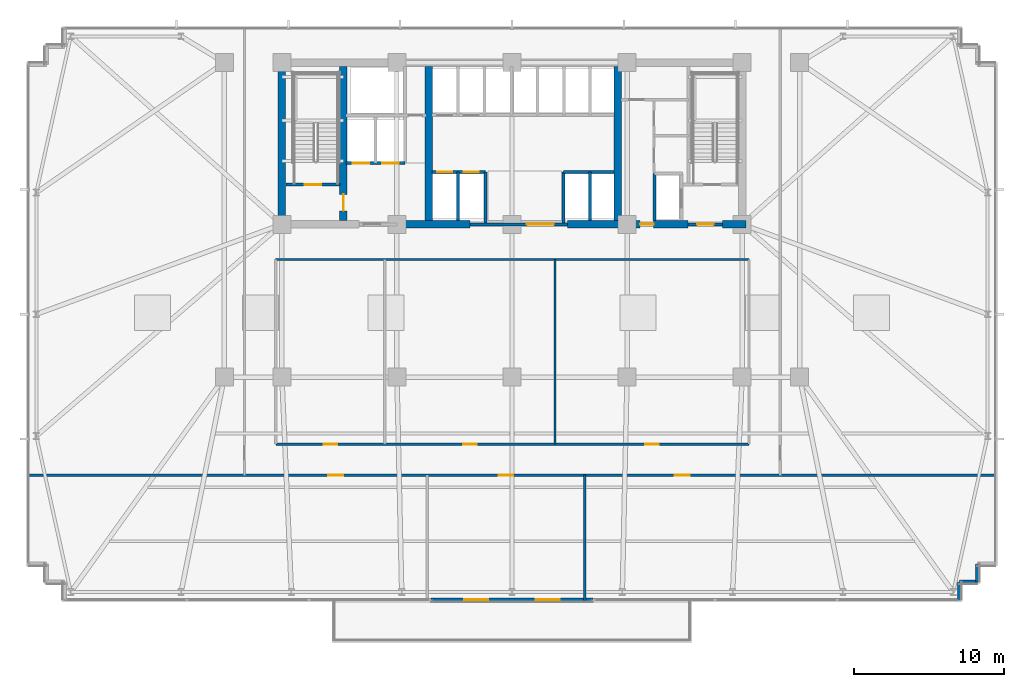
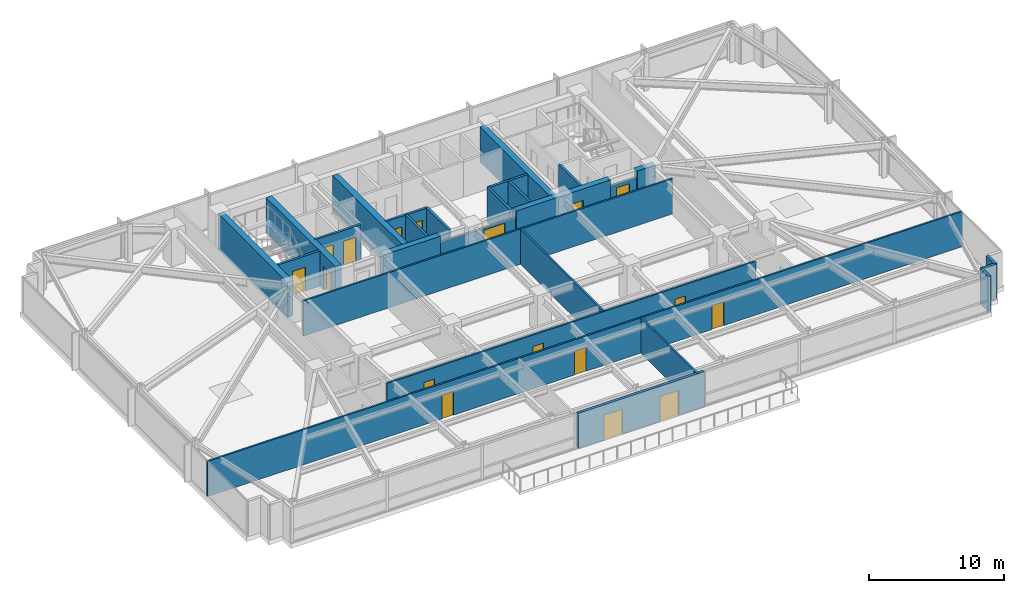
# One storey, part 24 of 31: 27 walls, 17 doors, 17 openings.
"""IFC4 building model written with IfcOpenShell, lengths in metres."""

from ifc_helpers import new_model, si_unit, direction, frame, frame_2d, origin, place, context, subcontext, project, spatial, rectangle, extrude, material, layer, layer_set, type_object, element, fill, save


model = new_model("IFC4")

# Units and contexts
model_context = context("Model", 3, precision=1e-05, world=origin(), true_north=direction((0.0, 1.0)))
body_context = subcontext(model_context, "Body", "Model", "MODEL_VIEW")
ifc_project = project(units=[si_unit("LENGTHUNIT", "METRE"), si_unit("AREAUNIT", "SQUARE_METRE"), si_unit("VOLUMEUNIT", "CUBIC_METRE"), si_unit("PLANEANGLEUNIT", "RADIAN"), si_unit("MASSUNIT", "GRAM", prefix="KILO")], contexts=[model_context])

# Site, building, storey
site_placement = place(None, origin())
site = spatial("IfcSite", under=ifc_project, at=site_placement, CompositionType="ELEMENT")
building_placement = place(site_placement, origin())
building = spatial("IfcBuilding", under=site, at=building_placement, Name="Yelkora Congress Tower", CompositionType="ELEMENT")
storey_placement = place(building_placement, frame((0.0, 0.0, 30.39990234375)))
storey = spatial("IfcBuildingStorey", under=building, at=storey_placement, Name="L06", CompositionType="ELEMENT", Elevation=30.39990234375)

# Wall
ifc_material_1 = material(Name="Concrete C60/75", Category="concrete")
ifc_layer_1 = layer(ifc_material_1, 0.5)
ifc_layer_set_1 = layer_set([ifc_layer_1], Name="Concrete C60/75")
wall_type_1 = type_object("IfcWallType", Name="WALL-CORE-INT-500", PredefinedType="SHEAR", material=ifc_layer_set_1)
wall_1_placement = place(storey_placement, frame((30.719970703125, 35.39990234375, 0.0), z_axis=(0.0, 0.0, 1.0), x_axis=(1.0, 0.0, 0.0)))
element("IfcWall", 1, at=wall_1_placement, inside=storey, type_object=wall_type_1, Name="L06 Rear Core South-Center Shear Pier", PredefinedType="SHEAR", context=body_context, shape_type="SweptSolid", body=[
    extrude(rectangle(XDim=4.880126953125, YDim=0.5, at=frame_2d((2.43994140625, 0.0))), origin(), (0.0, 0.0, 1.0), 3.18017578125),
])

# Wall, opening, door
wall_2_placement = place(storey_placement, frame((42.10009765625, 35.39990234375, 0.0), z_axis=(0.0, 0.0, 1.0), x_axis=(1.0, 0.0, 0.0)))
wall_2 = element("IfcWall", 2, at=wall_2_placement, inside=storey, type_object=wall_type_1, Name="L06 Rear Core South-East Shear Wall A", PredefinedType="SHEAR", context=body_context, shape_type="SweptSolid", body=[
    extrude(rectangle(XDim=8.0498046875, YDim=0.5, at=frame_2d((4.02490234375, 0.0))), origin(), (0.0, 0.0, 1.0), 3.18017578125),
])
opening_1_placement = place(wall_2_placement, frame((4.85009765625, 0.0, 0.0)))
opening_1 = element("IfcOpeningElement", 3, at=opening_1_placement, cuts=wall_2, Name="Opening DR-090F6", PredefinedType="OPENING", context=body_context, shape_type="SweptSolid", body=[
    extrude(rectangle(XDim=0.89990234375, YDim=2.14990234375, at=frame_2d((0.449951171875, 1.074951171875))), frame((0.0, 0.260009765625, 0.0), z_axis=(0.0, -1.0, 0.0), x_axis=(1.0, 0.0, 0.0)), (0.0, 0.0, 1.0), 0.52001953125),
])
ifc_material_2 = material(Name="Painted steel riser fire door leaf", Category="steel")
door_type_1 = type_object("IfcDoorType", Name="DOOR-FD60-900", OperationType="NOTDEFINED", PredefinedType="DOOR", material=ifc_material_2)
door_1_placement = place(opening_1_placement, origin())
door_1 = element("IfcDoor", 4, at=door_1_placement, inside=storey, type_object=door_type_1, Name="L06 Core Washroom Lobby Door", OperationType="SINGLE_SWING_RIGHT", OverallHeight=2.14990234375, OverallWidth=0.89990234375, PredefinedType="DOOR", context=body_context, shape_type="SweptSolid", body=[
    extrude(rectangle(XDim=0.89990234375, YDim=2.14990234375, at=frame_2d((0.449951171875, 1.074951171875))), frame((0.0, 0.02490234375, 0.0), z_axis=(0.0, -1.0, 0.0), x_axis=(1.0, 0.0, 0.0)), (0.0, 0.0, 1.0), 0.050048828125),
])
fill(opening_1, door_1)

# Walls
wall_3_placement = place(storey_placement, frame((52.449951171875, 35.39990234375, 0.0), z_axis=(0.0, 0.0, 1.0), x_axis=(1.0, 0.0, 0.0)))
element("IfcWall", 5, at=wall_3_placement, inside=storey, type_object=wall_type_1, Name="L06 Rear Core South-East Shear Wall B", PredefinedType="SHEAR", context=body_context, shape_type="SweptSolid", body=[
    extrude(rectangle(XDim=1.56005859375, YDim=0.5, at=frame_2d((0.780029296875, 0.0))), origin(), (0.0, 0.0, 1.0), 3.18017578125),
])
wall_4_placement = place(storey_placement, frame((23.0400390625, 35.64990234375, 0.0), z_axis=(0.0, 0.0, 1.0), x_axis=(0.0, 1.0, 0.0)))
element("IfcWall", 6, at=wall_4_placement, inside=storey, type_object=wall_type_1, Name="L06 Rear Core Cross Shear Wall W", PredefinedType="SHEAR", context=body_context, shape_type="SweptSolid", body=[
    extrude(rectangle(XDim=10.300048828125, YDim=0.5, at=frame_2d((5.14990234375, 0.0))), origin(), (0.0, 0.0, 1.0), 3.18017578125),
])

# Wall, opening, door
wall_5_placement = place(storey_placement, frame((27.14990234375, 35.64990234375, 0.0), z_axis=(0.0, 0.0, 1.0), x_axis=(0.0, 1.0, 0.0)))
wall_5 = element("IfcWall", 7, at=wall_5_placement, inside=storey, type_object=wall_type_1, Name="L06 Rear Core Cross Shear Wall C1", PredefinedType="SHEAR", context=body_context, shape_type="SweptSolid", body=[
    extrude(rectangle(XDim=10.300048828125, YDim=0.5, at=frame_2d((5.14990234375, 0.0))), origin(), (0.0, 0.0, 1.0), 3.18017578125),
])
opening_2_placement = place(wall_5_placement, frame((0.64990234375, 0.0, 0.0)))
opening_2 = element("IfcOpeningElement", 8, at=opening_2_placement, cuts=wall_5, Name="Opening DR-110F9", PredefinedType="OPENING", context=body_context, shape_type="SweptSolid", body=[
    extrude(rectangle(XDim=1.10009765625, YDim=2.14990234375, at=frame_2d((0.550048828125, 1.074951171875))), frame((0.0, 0.260009765625, 0.0), z_axis=(0.0, -1.0, 0.0), x_axis=(1.0, 0.0, 0.0)), (0.0, 0.0, 1.0), 0.52001953125),
])
ifc_material_3 = material(Name="Galvanised steel fire door leaf", Category="steel")
door_type_2 = type_object("IfcDoorType", Name="DOOR-FD90-1100", OperationType="NOTDEFINED", PredefinedType="DOOR", material=ifc_material_3)
door_2_placement = place(opening_2_placement, origin())
door_2 = element("IfcDoor", 9, at=door_2_placement, inside=storey, type_object=door_type_2, Name="L06 Firefighting Stair Transfer Door", OperationType="SINGLE_SWING_LEFT", OverallHeight=2.14990234375, OverallWidth=1.10009765625, PredefinedType="DOOR", context=body_context, shape_type="SweptSolid", body=[
    extrude(rectangle(XDim=1.10009765625, YDim=2.14990234375, at=frame_2d((0.550048828125, 1.074951171875))), frame((0.0, 0.02490234375, 0.0), z_axis=(0.0, -1.0, 0.0), x_axis=(1.0, 0.0, 0.0)), (0.0, 0.0, 1.0), 0.050048828125),
])
fill(opening_2, door_2)

# Walls
for number, where, z_axis, x_axis, name in (
    (10, (32.85009765625, 35.64990234375, 0.0), (0.0, 0.0, 1.0), (0.0, 1.0, 0.0), "L06 Rear Core Cross Shear Wall C2"),
    (11, (45.449951171875, 35.64990234375, 0.0), (0.0, 0.0, 1.0), (0.0, 1.0, 0.0), "L06 Rear Core Cross Shear Wall C3"),
):
    element("IfcWall", number, at=place(storey_placement, frame(where, z_axis=z_axis, x_axis=x_axis)), inside=storey, type_object=wall_type_1, Name=name, PredefinedType="SHEAR", context=body_context, shape_type="SweptSolid", body=[
        extrude(rectangle(XDim=10.300048828125, YDim=0.5, at=frame_2d((5.14990234375, 0.0))), origin(), (0.0, 0.0, 1.0), 3.18017578125),
    ])
ifc_material_4 = material(Name="Concrete C40/50", Category="concrete")
ifc_layer_2 = layer(ifc_material_4, 0.239990234375)
ifc_layer_set_2 = layer_set([ifc_layer_2], Name="Concrete C40/50")
wall_type_2 = type_object("IfcWallType", Name="WALL-EXT-LIMESTONE-240", PredefinedType="SOLIDWALL", material=ifc_layer_set_2)
for number, where, z_axis, x_axis, name in (
    (12, (69.4599609375, 12.739990234375, 0.0), (0.0, 0.0, 1.0), (0.0, -1.0, 0.0), "L06 Serrated Corner Limestone Pier 17"),
    (13, (69.4599609375, 11.5400390625, 0.0), (0.0, 0.0, 1.0), (-1.0, 0.0, 0.0), "L06 Serrated Corner Limestone Pier 18"),
    (14, (68.260009765625, 11.5400390625, 0.0), (0.0, 0.0, 1.0), (0.0, -1.0, 0.0), "L06 Serrated Corner Limestone Pier 19"),
):
    element("IfcWall", number, at=place(storey_placement, frame(where, z_axis=z_axis, x_axis=x_axis)), inside=storey, type_object=wall_type_2, Name=name, PredefinedType="SOLIDWALL", context=body_context, shape_type="SweptSolid", body=[
        extrude(rectangle(XDim=1.199951171875, YDim=0.239990234375, at=frame_2d((0.60009765625, 0.0))), origin(), (0.0, 0.0, 1.0), 3.18017578125),
    ])

# Wall, openings, doors
wall_6_placement = place(storey_placement, frame((33.0, 10.340087890625, 0.0), z_axis=(0.0, 0.0, 1.0), x_axis=(1.0, 0.0, 0.0)))
wall_6 = element("IfcWall", 15, at=wall_6_placement, inside=storey, type_object=wall_type_2, Name="L06 Podium Roof Terrace Portal Wall", PredefinedType="SOLIDWALL", context=body_context, shape_type="SweptSolid", body=[
    extrude(rectangle(XDim=10.800048828125, YDim=0.239990234375, at=frame_2d((5.39990234375, 0.0))), origin(), (0.0, 0.0, 1.0), 3.18017578125),
])
opening_3_placement = place(wall_6_placement, frame((2.199951171875, 0.0, 0.0)))
opening_3 = element("IfcOpeningElement", 16, at=opening_3_placement, cuts=wall_6, Name="Opening DE-160T", PredefinedType="OPENING", context=body_context, shape_type="SweptSolid", body=[
    extrude(rectangle(XDim=1.60009765625, YDim=2.25, at=frame_2d((0.800048828125, 1.125))), frame((0.0, 0.1298828125, 0.0), z_axis=(0.0, -1.0, 0.0), x_axis=(1.0, 0.0, 0.0)), (0.0, 0.0, 1.0), 0.260009765625),
])
opening_4_placement = place(wall_6_placement, frame((7.0, 0.0, 0.0)))
opening_4 = element("IfcOpeningElement", 17, at=opening_4_placement, cuts=wall_6, Name="Opening DE-160T", PredefinedType="OPENING", context=body_context, shape_type="SweptSolid", body=[
    extrude(rectangle(XDim=1.60009765625, YDim=2.25, at=frame_2d((0.800048828125, 1.125))), frame((0.0, 0.1298828125, 0.0), z_axis=(0.0, -1.0, 0.0), x_axis=(1.0, 0.0, 0.0)), (0.0, 0.0, 1.0), 0.260009765625),
])
ifc_material_5 = material(Name="Thermally broken aluminium glazed terrace door", Category="aluminium")
door_type_3 = type_object("IfcDoorType", Name="DOOR-EXT-TERRACE-1600", OperationType="DOUBLE_DOOR_SINGLE_SWING", PredefinedType="DOOR", material=ifc_material_5)
door_3_placement = place(opening_3_placement, frame((1.60009765625, 0.0, 0.0), z_axis=(0.0, 0.0, 1.0), x_axis=(-1.0, 0.0, 0.0)))
door_3 = element("IfcDoor", 18, at=door_3_placement, inside=storey, type_object=door_type_3, Name="L06 Podium Roof Terrace Door 1", OperationType="SINGLE_SWING_LEFT", OverallHeight=2.25, OverallWidth=1.60009765625, PredefinedType="DOOR", context=body_context, shape_type="SweptSolid", body=[
    extrude(rectangle(XDim=1.60009765625, YDim=2.25, at=frame_2d((0.800048828125, 1.125))), frame((0.0, 0.02490234375, 0.0), z_axis=(0.0, -1.0, 0.0), x_axis=(1.0, 0.0, 0.0)), (0.0, 0.0, 1.0), 0.050048828125),
])
fill(opening_3, door_3)
door_4_placement = place(opening_4_placement, frame((1.60009765625, 0.0, 0.0), z_axis=(0.0, 0.0, 1.0), x_axis=(-1.0, 0.0, 0.0)))
door_4 = element("IfcDoor", 19, at=door_4_placement, inside=storey, type_object=door_type_3, Name="L06 Podium Roof Terrace Door 2", OperationType="SINGLE_SWING_LEFT", OverallHeight=2.25, OverallWidth=1.60009765625, PredefinedType="DOOR", context=body_context, shape_type="SweptSolid", body=[
    extrude(rectangle(XDim=1.60009765625, YDim=2.25, at=frame_2d((0.800048828125, 1.125))), frame((0.0, 0.02490234375, 0.0), z_axis=(0.0, -1.0, 0.0), x_axis=(1.0, 0.0, 0.0)), (0.0, 0.0, 1.0), 0.050048828125),
])
fill(opening_4, door_4)

# Wall
ifc_material_6 = material(Name="Acoustic metal-stud gypsum partition", Category="gypsum")
ifc_layer_3 = layer(ifc_material_6, 0.14990234375)
ifc_layer_set_3 = layer_set([ifc_layer_3], Name="Acoustic metal-stud gypsum partition")
wall_type_3 = type_object("IfcWallType", Name="WALL-INT-150-NR", PredefinedType="PARTITIONING", material=ifc_layer_set_3)
wall_7_placement = place(storey_placement, frame((43.2548828125, 10.280029296875, 0.0), z_axis=(0.0, 0.0, 1.0), x_axis=(0.0, 1.0, 0.0)))
element("IfcWall", 20, at=wall_7_placement, inside=storey, type_object=wall_type_3, Name="L06 Partition Wall 32", PredefinedType="PARTITIONING", context=body_context, shape_type="SweptSolid", body=[
    extrude(rectangle(XDim=8.389892578125, YDim=0.14990234375, at=frame_2d((4.19482421875, 0.0))), origin(), (0.0, 0.0, 1.0), 3.18017578125),
])

# Wall, openings, doors
wall_8_placement = place(storey_placement, frame((6.080078125, 18.64990234375, 0.0), z_axis=(0.0, 0.0, 1.0), x_axis=(1.0, 0.0, 0.0)))
wall_8 = element("IfcWall", 21, at=wall_8_placement, inside=storey, type_object=wall_type_3, Name="L06 South Spine Wall", PredefinedType="PARTITIONING", context=body_context, shape_type="SweptSolid", body=[
    extrude(rectangle(XDim=64.639892578125, YDim=0.14990234375, at=frame_2d((32.31982421875, 0.0))), origin(), (0.0, 0.0, 1.0), 3.18017578125),
])
opening_5_placement = place(wall_8_placement, frame((20.06689453125, 0.0, 0.0)))
opening_5 = element("IfcOpeningElement", 22, at=opening_5_placement, cuts=wall_8, Name="Opening DR-100N", PredefinedType="OPENING", context=body_context, shape_type="SweptSolid", body=[
    extrude(rectangle(XDim=1.0, YDim=2.14990234375, at=frame_2d((0.5, 1.074951171875))), frame((0.0, 0.0849609375, 0.0), z_axis=(0.0, -1.0, 0.0), x_axis=(1.0, 0.0, 0.0)), (0.0, 0.0, 1.0), 0.169921875),
])
opening_6_placement = place(wall_8_placement, frame((31.41943359375, 0.0, 0.0)))
opening_6 = element("IfcOpeningElement", 23, at=opening_6_placement, cuts=wall_8, Name="Opening DR-100N", PredefinedType="OPENING", context=body_context, shape_type="SweptSolid", body=[
    extrude(rectangle(XDim=1.0, YDim=2.14990234375, at=frame_2d((0.5, 1.074951171875))), frame((0.0, 0.0849609375, 0.0), z_axis=(0.0, -1.0, 0.0), x_axis=(1.0, 0.0, 0.0)), (0.0, 0.0, 1.0), 0.169921875),
])
opening_7_placement = place(wall_8_placement, frame((43.197509765625, 0.0, 0.0)))
opening_7 = element("IfcOpeningElement", 24, at=opening_7_placement, cuts=wall_8, Name="Opening DR-100N", PredefinedType="OPENING", context=body_context, shape_type="SweptSolid", body=[
    extrude(rectangle(XDim=1.0, YDim=2.14990234375, at=frame_2d((0.5, 1.074951171875))), frame((0.0, 0.0849609375, 0.0), z_axis=(0.0, -1.0, 0.0), x_axis=(1.0, 0.0, 0.0)), (0.0, 0.0, 1.0), 0.169921875),
])
ifc_material_7 = material(Name="Solid-core Anatolian oak veneer door", Category="wood")
door_type_4 = type_object("IfcDoorType", Name="DOOR-INT-1000", OperationType="NOTDEFINED", PredefinedType="DOOR", material=ifc_material_7)
door_5_placement = place(opening_5_placement, origin())
door_5 = element("IfcDoor", 25, at=door_5_placement, inside=storey, type_object=door_type_4, Name="L06 Open-Plan Office Door", OperationType="SINGLE_SWING_LEFT", OverallHeight=2.14990234375, OverallWidth=1.0, PredefinedType="DOOR", context=body_context, shape_type="SweptSolid", body=[
    extrude(rectangle(XDim=1.0, YDim=2.14990234375, at=frame_2d((0.5, 1.074951171875))), frame((0.0, 0.02490234375, 0.0), z_axis=(0.0, -1.0, 0.0), x_axis=(1.0, 0.0, 0.0)), (0.0, 0.0, 1.0), 0.050048828125),
])
fill(opening_5, door_5)
door_6_placement = place(opening_6_placement, origin())
door_6 = element("IfcDoor", 26, at=door_6_placement, inside=storey, type_object=door_type_4, Name="L06 Executive Office Door", OperationType="SINGLE_SWING_RIGHT", OverallHeight=2.14990234375, OverallWidth=1.0, PredefinedType="DOOR", context=body_context, shape_type="SweptSolid", body=[
    extrude(rectangle(XDim=1.0, YDim=2.14990234375, at=frame_2d((0.5, 1.074951171875))), frame((0.0, 0.02490234375, 0.0), z_axis=(0.0, -1.0, 0.0), x_axis=(1.0, 0.0, 0.0)), (0.0, 0.0, 1.0), 0.050048828125),
])
fill(opening_6, door_6)
door_7_placement = place(opening_7_placement, origin())
door_7 = element("IfcDoor", 27, at=door_7_placement, inside=storey, type_object=door_type_4, Name="L06 Conference Boardroom Door", OperationType="SINGLE_SWING_LEFT", OverallHeight=2.14990234375, OverallWidth=1.0, PredefinedType="DOOR", context=body_context, shape_type="SweptSolid", body=[
    extrude(rectangle(XDim=1.0, YDim=2.14990234375, at=frame_2d((0.5, 1.074951171875))), frame((0.0, 0.02490234375, 0.0), z_axis=(0.0, -1.0, 0.0), x_axis=(1.0, 0.0, 0.0)), (0.0, 0.0, 1.0), 0.050048828125),
])
fill(opening_7, door_7)

# Walls
wall_9_placement = place(storey_placement, frame((22.6298828125, 33.050048828125, 0.0), z_axis=(0.0, 0.0, 1.0), x_axis=(1.0, 0.0, 0.0)))
element("IfcWall", 28, at=wall_9_placement, inside=storey, type_object=wall_type_3, Name="L06 Partition Wall 38", PredefinedType="PARTITIONING", context=body_context, shape_type="SweptSolid", body=[
    extrude(rectangle(XDim=31.590087890625, YDim=0.14990234375, at=frame_2d((15.794921875, 0.0))), origin(), (0.0, 0.0, 1.0), 3.18017578125),
])
wall_10_placement = place(storey_placement, frame((41.26611328125, 20.72998046875, 0.0), z_axis=(0.0, 0.0, 1.0), x_axis=(0.0, 1.0, 0.0)))
element("IfcWall", 29, at=wall_10_placement, inside=storey, type_object=wall_type_3, Name="L06 Partition Wall 40", PredefinedType="PARTITIONING", context=body_context, shape_type="SweptSolid", body=[
    extrude(rectangle(XDim=12.320068359375, YDim=0.14990234375, at=frame_2d((6.16015625, 0.0))), origin(), (0.0, 0.0, 1.0), 3.18017578125),
])

# Wall, openings, doors
wall_11_placement = place(storey_placement, frame((22.639892578125, 20.72998046875, 0.0), z_axis=(0.0, 0.0, 1.0), x_axis=(1.0, 0.0, 0.0)))
wall_11 = element("IfcWall", 30, at=wall_11_placement, inside=storey, type_object=wall_type_3, Name="L06 Partition Wall 41", PredefinedType="PARTITIONING", context=body_context, shape_type="SweptSolid", body=[
    extrude(rectangle(XDim=31.570068359375, YDim=0.14990234375, at=frame_2d((15.78515625, 0.0))), origin(), (0.0, 0.0, 1.0), 3.18017578125),
])
opening_8_placement = place(wall_11_placement, frame((3.180419921875, 0.0, 0.0)))
opening_8 = element("IfcOpeningElement", 31, at=opening_8_placement, cuts=wall_11, Name="Opening DR-090N", PredefinedType="OPENING", context=body_context, shape_type="SweptSolid", body=[
    extrude(rectangle(XDim=0.89990234375, YDim=2.14990234375, at=frame_2d((0.449951171875, 1.074951171875))), frame((0.0, 0.0849609375, 0.0), z_axis=(0.0, -1.0, 0.0), x_axis=(1.0, 0.0, 0.0)), (0.0, 0.0, 1.0), 0.169921875),
])
opening_9_placement = place(wall_11_placement, frame((12.493408203125, 0.0, 0.0)))
opening_9 = element("IfcOpeningElement", 32, at=opening_9_placement, cuts=wall_11, Name="Opening DR-090N", PredefinedType="OPENING", context=body_context, shape_type="SweptSolid", body=[
    extrude(rectangle(XDim=0.89990234375, YDim=2.14990234375, at=frame_2d((0.449951171875, 1.074951171875))), frame((0.0, 0.0849609375, 0.0), z_axis=(0.0, -1.0, 0.0), x_axis=(1.0, 0.0, 0.0)), (0.0, 0.0, 1.0), 0.169921875),
])
opening_10_placement = place(wall_11_placement, frame((24.64794921875, 0.0, 0.0)))
opening_10 = element("IfcOpeningElement", 33, at=opening_10_placement, cuts=wall_11, Name="Opening DR-090N", PredefinedType="OPENING", context=body_context, shape_type="SweptSolid", body=[
    extrude(rectangle(XDim=0.89990234375, YDim=2.14990234375, at=frame_2d((0.449951171875, 1.074951171875))), frame((0.0, 0.0849609375, 0.0), z_axis=(0.0, -1.0, 0.0), x_axis=(1.0, 0.0, 0.0)), (0.0, 0.0, 1.0), 0.169921875),
])
ifc_material_8 = material(Name="Moisture-resistant laminate door leaf", Category="wood")
door_type_5 = type_object("IfcDoorType", Name="DOOR-INT-900", OperationType="NOTDEFINED", PredefinedType="DOOR", material=ifc_material_8)
door_8_placement = place(opening_8_placement, origin())
door_8 = element("IfcDoor", 34, at=door_8_placement, inside=storey, type_object=door_type_5, Name="L06 Catering Servery Kitchen Door", OperationType="SINGLE_SWING_RIGHT", OverallHeight=2.14990234375, OverallWidth=0.89990234375, PredefinedType="DOOR", context=body_context, shape_type="SweptSolid", body=[
    extrude(rectangle(XDim=0.89990234375, YDim=2.14990234375, at=frame_2d((0.449951171875, 1.074951171875))), frame((0.0, 0.02490234375, 0.0), z_axis=(0.0, -1.0, 0.0), x_axis=(1.0, 0.0, 0.0)), (0.0, 0.0, 1.0), 0.050048828125),
])
fill(opening_8, door_8)
door_9_placement = place(opening_9_placement, origin())
door_9 = element("IfcDoor", 35, at=door_9_placement, inside=storey, type_object=door_type_5, Name="L06 Business Concierge Office Door", OperationType="SINGLE_SWING_LEFT", OverallHeight=2.14990234375, OverallWidth=0.89990234375, PredefinedType="DOOR", context=body_context, shape_type="SweptSolid", body=[
    extrude(rectangle(XDim=0.89990234375, YDim=2.14990234375, at=frame_2d((0.449951171875, 1.074951171875))), frame((0.0, 0.02490234375, 0.0), z_axis=(0.0, -1.0, 0.0), x_axis=(1.0, 0.0, 0.0)), (0.0, 0.0, 1.0), 0.050048828125),
])
fill(opening_9, door_9)
door_10_placement = place(opening_10_placement, origin())
door_10 = element("IfcDoor", 36, at=door_10_placement, inside=storey, type_object=door_type_5, Name="L06 Refreshment Galley Door", OperationType="SINGLE_SWING_RIGHT", OverallHeight=2.14990234375, OverallWidth=0.89990234375, PredefinedType="DOOR", context=body_context, shape_type="SweptSolid", body=[
    extrude(rectangle(XDim=0.89990234375, YDim=2.14990234375, at=frame_2d((0.449951171875, 1.074951171875))), frame((0.0, 0.02490234375, 0.0), z_axis=(0.0, -1.0, 0.0), x_axis=(1.0, 0.0, 0.0)), (0.0, 0.0, 1.0), 0.050048828125),
])
fill(opening_10, door_10)

# Wall, opening, door
ifc_material_9 = material(Name="Autoclaved aerated concrete blockwork", Category="masonry")
ifc_layer_4 = layer(ifc_material_9, 0.199951171875)
ifc_layer_set_4 = layer_set([ifc_layer_4], Name="Autoclaved aerated concrete blockwork")
wall_type_4 = type_object("IfcWallType", Name="WALL-INT-200-R120", PredefinedType="PARTITIONING", material=ifc_layer_set_4)
wall_12_placement = place(storey_placement, frame((23.300048828125, 38.050048828125, 0.0), z_axis=(0.0, 0.0, 1.0), x_axis=(1.0, 0.0, 0.0)))
wall_12 = element("IfcWall", 37, at=wall_12_placement, inside=storey, type_object=wall_type_4, Name="L06 Stair ST-01 Enclosure Wall", PredefinedType="PARTITIONING", context=body_context, shape_type="SweptSolid", body=[
    extrude(rectangle(XDim=3.619873046875, YDim=0.199951171875, at=frame_2d((1.81005859375, 0.0))), origin(), (0.0, 0.0, 1.0), 3.18017578125),
])
opening_11_placement = place(wall_12_placement, frame((1.260009765625, 0.0, 0.0)))
opening_11 = element("IfcOpeningElement", 38, at=opening_11_placement, cuts=wall_12, Name="Opening DR-110F9", PredefinedType="OPENING", context=body_context, shape_type="SweptSolid", body=[
    extrude(rectangle(XDim=1.10009765625, YDim=2.14990234375, at=frame_2d((0.550048828125, 1.074951171875))), frame((0.0, 0.10986328125, 0.0), z_axis=(0.0, -1.0, 0.0), x_axis=(1.0, 0.0, 0.0)), (0.0, 0.0, 1.0), 0.219970703125),
])
door_11_placement = place(opening_11_placement, origin())
door_11 = element("IfcDoor", 39, at=door_11_placement, inside=storey, type_object=door_type_2, Name="L06 Stair ST-01 Entry Door", OperationType="SINGLE_SWING_LEFT", OverallHeight=2.14990234375, OverallWidth=1.10009765625, PredefinedType="DOOR", context=body_context, shape_type="SweptSolid", body=[
    extrude(rectangle(XDim=1.10009765625, YDim=2.14990234375, at=frame_2d((0.550048828125, 1.074951171875))), frame((0.0, 0.02490234375, 0.0), z_axis=(0.0, -1.0, 0.0), x_axis=(1.0, 0.0, 0.0)), (0.0, 0.0, 1.0), 0.050048828125),
])
fill(opening_11, door_11)

# Wall, openings, doors
wall_13_placement = place(storey_placement, frame((27.320068359375, 39.47998046875, 0.0), z_axis=(0.0, 0.0, 1.0), x_axis=(1.0, 0.0, 0.0)))
wall_13 = element("IfcWall", 40, at=wall_13_placement, inside=storey, type_object=wall_type_4, Name="L06 Firefighting Lift Front Wall", PredefinedType="PARTITIONING", context=body_context, shape_type="SweptSolid", body=[
    extrude(rectangle(XDim=3.93994140625, YDim=0.199951171875, at=frame_2d((1.969970703125, 0.0))), origin(), (0.0, 0.0, 1.0), 3.18017578125),
])
opening_12_placement = place(wall_13_placement, frame((0.449951171875, 0.0, 0.0)))
opening_12 = element("IfcOpeningElement", 41, at=opening_12_placement, cuts=wall_13, Name="Opening LD-FF11", PredefinedType="OPENING", context=body_context, shape_type="SweptSolid", body=[
    extrude(rectangle(XDim=1.10009765625, YDim=2.199951171875, at=frame_2d((0.550048828125, 1.10009765625))), frame((0.0, 0.10986328125, 0.0), z_axis=(0.0, -1.0, 0.0), x_axis=(1.0, 0.0, 0.0)), (0.0, 0.0, 1.0), 0.219970703125),
])
opening_13_placement = place(wall_13_placement, frame((2.409912109375, 0.0, 0.0)))
opening_13 = element("IfcOpeningElement", 42, at=opening_13_placement, cuts=wall_13, Name="Opening LD-FF11", PredefinedType="OPENING", context=body_context, shape_type="SweptSolid", body=[
    extrude(rectangle(XDim=1.10009765625, YDim=2.199951171875, at=frame_2d((0.550048828125, 1.10009765625))), frame((0.0, 0.10986328125, 0.0), z_axis=(0.0, -1.0, 0.0), x_axis=(1.0, 0.0, 0.0)), (0.0, 0.0, 1.0), 0.219970703125),
])
ifc_material_10 = material(Name="Brushed stainless steel 316L landing door", Category="steel")
door_type_6 = type_object("IfcDoorType", Name="DOOR-LIFT-FF-1100", OperationType="DOUBLE_DOOR_SLIDING", PredefinedType="DOOR", material=ifc_material_10)
door_12_placement = place(opening_12_placement, origin())
door_12 = element("IfcDoor", 43, at=door_12_placement, inside=storey, type_object=door_type_6, Name="Lift Landing Door LF-FF1 L06", OperationType="DOUBLE_DOOR_SLIDING", OverallHeight=2.199951171875, OverallWidth=1.10009765625, PredefinedType="DOOR", context=body_context, shape_type="SweptSolid", body=[
    extrude(rectangle(XDim=1.10009765625, YDim=2.199951171875, at=frame_2d((0.550048828125, 1.10009765625))), frame((0.0, 0.02490234375, 0.0), z_axis=(0.0, -1.0, 0.0), x_axis=(1.0, 0.0, 0.0)), (0.0, 0.0, 1.0), 0.050048828125),
])
fill(opening_12, door_12)
door_13_placement = place(opening_13_placement, origin())
door_13 = element("IfcDoor", 44, at=door_13_placement, inside=storey, type_object=door_type_6, Name="Lift Landing Door LF-FF2 L06", OperationType="DOUBLE_DOOR_SLIDING", OverallHeight=2.199951171875, OverallWidth=1.10009765625, PredefinedType="DOOR", context=body_context, shape_type="SweptSolid", body=[
    extrude(rectangle(XDim=1.10009765625, YDim=2.199951171875, at=frame_2d((0.550048828125, 1.10009765625))), frame((0.0, 0.02490234375, 0.0), z_axis=(0.0, -1.0, 0.0), x_axis=(1.0, 0.0, 0.0)), (0.0, 0.0, 1.0), 0.050048828125),
])
fill(opening_13, door_13)

# Wall, opening, door
wall_14_placement = place(storey_placement, frame((35.60009765625, 35.39990234375, 0.0), z_axis=(0.0, 0.0, 1.0), x_axis=(1.0, 0.0, 0.0)))
wall_14 = element("IfcWall", 45, at=wall_14_placement, inside=storey, type_object=wall_type_4, Name="L06 Main Lift Lobby South Portal Wall", PredefinedType="PARTITIONING", context=body_context, shape_type="SweptSolid", body=[
    extrude(rectangle(XDim=6.5, YDim=0.199951171875, at=frame_2d((3.25, 0.0))), origin(), (0.0, 0.0, 1.0), 2.47509765625),
])
opening_14_placement = place(wall_14_placement, frame((3.800048828125, 0.0, 0.0)))
opening_14 = element("IfcOpeningElement", 46, at=opening_14_placement, cuts=wall_14, Name="Opening DR-180D", PredefinedType="OPENING", context=body_context, shape_type="SweptSolid", body=[
    extrude(rectangle(XDim=1.800048828125, YDim=2.300048828125, at=frame_2d((0.89990234375, 1.14990234375))), frame((0.0, 0.10986328125, 0.0), z_axis=(0.0, -1.0, 0.0), x_axis=(1.0, 0.0, 0.0)), (0.0, 0.0, 1.0), 0.219970703125),
])
ifc_material_11 = material(Name="Acoustic double congress hall doors", Category="wood")
door_type_7 = type_object("IfcDoorType", Name="DOOR-DBL-1800", OperationType="DOUBLE_DOOR_SINGLE_SWING", PredefinedType="DOOR", material=ifc_material_11)
door_14_placement = place(opening_14_placement, origin())
door_14 = element("IfcDoor", 47, at=door_14_placement, inside=storey, type_object=door_type_7, Name="L06 Main Lift Lobby Portal Door", OperationType="DOUBLE_DOOR_SINGLE_SWING", OverallHeight=2.300048828125, OverallWidth=1.800048828125, PredefinedType="DOOR", context=body_context, shape_type="SweptSolid", body=[
    extrude(rectangle(XDim=1.800048828125, YDim=2.300048828125, at=frame_2d((0.89990234375, 1.14990234375))), frame((0.0, 0.02490234375, 0.0), z_axis=(0.0, -1.0, 0.0), x_axis=(1.0, 0.0, 0.0)), (0.0, 0.0, 1.0), 0.050048828125),
])
fill(opening_14, door_14)

# Wall, openings, doors
wall_15_placement = place(storey_placement, frame((33.050048828125, 38.89990234375, 0.0), z_axis=(0.0, 0.0, 1.0), x_axis=(1.0, 0.0, 0.0)))
wall_15 = element("IfcWall", 48, at=wall_15_placement, inside=storey, type_object=wall_type_4, Name="L06 Partition Wall 11", PredefinedType="PARTITIONING", context=body_context, shape_type="SweptSolid", body=[
    extrude(rectangle(XDim=3.570068359375, YDim=0.199951171875, at=frame_2d((1.78515625, 0.0))), origin(), (0.0, 0.0, 1.0), 3.18017578125),
])
opening_15_placement = place(wall_15_placement, frame((0.375, 0.0, 0.0)))
opening_15 = element("IfcOpeningElement", 49, at=opening_15_placement, cuts=wall_15, Name="Opening LD-PS10", PredefinedType="OPENING", context=body_context, shape_type="SweptSolid", body=[
    extrude(rectangle(XDim=1.0, YDim=2.199951171875, at=frame_2d((0.5, 1.10009765625))), frame((0.0, 0.10986328125, 0.0), z_axis=(0.0, -1.0, 0.0), x_axis=(1.0, 0.0, 0.0)), (0.0, 0.0, 1.0), 0.219970703125),
])
opening_16_placement = place(wall_15_placement, frame((2.125, 0.0, 0.0)))
opening_16 = element("IfcOpeningElement", 50, at=opening_16_placement, cuts=wall_15, Name="Opening LD-PS10", PredefinedType="OPENING", context=body_context, shape_type="SweptSolid", body=[
    extrude(rectangle(XDim=1.0, YDim=2.199951171875, at=frame_2d((0.5, 1.10009765625))), frame((0.0, 0.10986328125, 0.0), z_axis=(0.0, -1.0, 0.0), x_axis=(1.0, 0.0, 0.0)), (0.0, 0.0, 1.0), 0.219970703125),
])
ifc_material_12 = material(Name="Champagne stainless steel landing door", Category="steel")
door_type_8 = type_object("IfcDoorType", Name="DOOR-LIFT-PAS-1000", OperationType="DOUBLE_DOOR_SLIDING", PredefinedType="DOOR", material=ifc_material_12)
door_15_placement = place(opening_15_placement, origin())
door_15 = element("IfcDoor", 51, at=door_15_placement, inside=storey, type_object=door_type_8, Name="Lift Landing Door LF-P1 L06", OperationType="DOUBLE_DOOR_SLIDING", OverallHeight=2.199951171875, OverallWidth=1.0, PredefinedType="DOOR", context=body_context, shape_type="SweptSolid", body=[
    extrude(rectangle(XDim=1.0, YDim=2.199951171875, at=frame_2d((0.5, 1.10009765625))), frame((0.0, 0.02490234375, 0.0), z_axis=(0.0, -1.0, 0.0), x_axis=(1.0, 0.0, 0.0)), (0.0, 0.0, 1.0), 0.050048828125),
])
fill(opening_15, door_15)
door_16_placement = place(opening_16_placement, origin())
door_16 = element("IfcDoor", 52, at=door_16_placement, inside=storey, type_object=door_type_8, Name="Lift Landing Door LF-P2 L06", OperationType="DOUBLE_DOOR_SLIDING", OverallHeight=2.199951171875, OverallWidth=1.0, PredefinedType="DOOR", context=body_context, shape_type="SweptSolid", body=[
    extrude(rectangle(XDim=1.0, YDim=2.199951171875, at=frame_2d((0.5, 1.10009765625))), frame((0.0, 0.02490234375, 0.0), z_axis=(0.0, -1.0, 0.0), x_axis=(1.0, 0.0, 0.0)), (0.0, 0.0, 1.0), 0.050048828125),
])
fill(opening_16, door_16)

# Walls
wall_16_placement = place(storey_placement, frame((34.800048828125, 35.64990234375, 0.0), z_axis=(0.0, 0.0, 1.0), x_axis=(0.0, 1.0, 0.0)))
element("IfcWall", 53, at=wall_16_placement, inside=storey, type_object=wall_type_4, Name="L06 Partition Wall 13", PredefinedType="PARTITIONING", context=body_context, shape_type="SweptSolid", body=[
    extrude(rectangle(XDim=3.25, YDim=0.199951171875, at=frame_2d((1.625, 0.0))), origin(), (0.0, 0.0, 1.0), 3.18017578125),
])
wall_17_placement = place(storey_placement, frame((36.6201171875, 35.5, 0.0), z_axis=(0.0, 0.0, 1.0), x_axis=(0.0, 1.0, 0.0)))
element("IfcWall", 54, at=wall_17_placement, inside=storey, type_object=wall_type_4, Name="L06 Partition Wall 15", PredefinedType="PARTITIONING", context=body_context, shape_type="SweptSolid", body=[
    extrude(rectangle(XDim=3.39990234375, YDim=0.199951171875, at=frame_2d((1.699951171875, 0.0))), origin(), (0.0, 0.0, 1.0), 3.18017578125),
])
wall_18_placement = place(storey_placement, frame((41.85009765625, 38.89990234375, 0.0), z_axis=(0.0, 0.0, 1.0), x_axis=(1.0, 0.0, 0.0)))
element("IfcWall", 55, at=wall_18_placement, inside=storey, type_object=wall_type_4, Name="L06 Partition Wall 17", PredefinedType="PARTITIONING", context=body_context, shape_type="SweptSolid", body=[
    extrude(rectangle(XDim=3.369873046875, YDim=0.199951171875, at=frame_2d((1.68505859375, 0.0))), origin(), (0.0, 0.0, 1.0), 3.18017578125),
])
wall_19_placement = place(storey_placement, frame((43.60009765625, 35.64990234375, 0.0), z_axis=(0.0, 0.0, 1.0), x_axis=(0.0, 1.0, 0.0)))
element("IfcWall", 56, at=wall_19_placement, inside=storey, type_object=wall_type_4, Name="L06 Partition Wall 19", PredefinedType="PARTITIONING", context=body_context, shape_type="SweptSolid", body=[
    extrude(rectangle(XDim=3.25, YDim=0.199951171875, at=frame_2d((1.625, 0.0))), origin(), (0.0, 0.0, 1.0), 3.18017578125),
])
wall_20_placement = place(storey_placement, frame((41.85009765625, 35.5, 0.0), z_axis=(0.0, 0.0, 1.0), x_axis=(0.0, 1.0, 0.0)))
element("IfcWall", 57, at=wall_20_placement, inside=storey, type_object=wall_type_4, Name="L06 Partition Wall 21", PredefinedType="PARTITIONING", context=body_context, shape_type="SweptSolid", body=[
    extrude(rectangle(XDim=3.39990234375, YDim=0.199951171875, at=frame_2d((1.699951171875, 0.0))), origin(), (0.0, 0.0, 1.0), 3.18017578125),
])

# Wall, opening, door
wall_21_placement = place(storey_placement, frame((50.14990234375, 35.39990234375, 0.0), z_axis=(0.0, 0.0, 1.0), x_axis=(1.0, 0.0, 0.0)))
wall_21 = element("IfcWall", 58, at=wall_21_placement, inside=storey, type_object=wall_type_4, Name="L06 Partition Wall 24", PredefinedType="PARTITIONING", context=body_context, shape_type="SweptSolid", body=[
    extrude(rectangle(XDim=2.300048828125, YDim=0.199951171875, at=frame_2d((1.14990234375, 0.0))), origin(), (0.0, 0.0, 1.0), 2.47509765625),
])
opening_17_placement = place(wall_21_placement, frame((0.60009765625, 0.0, 0.0)))
opening_17 = element("IfcOpeningElement", 59, at=opening_17_placement, cuts=wall_21, Name="Opening DR-110F9", PredefinedType="OPENING", context=body_context, shape_type="SweptSolid", body=[
    extrude(rectangle(XDim=1.10009765625, YDim=2.14990234375, at=frame_2d((0.550048828125, 1.074951171875))), frame((0.0, 0.10986328125, 0.0), z_axis=(0.0, -1.0, 0.0), x_axis=(1.0, 0.0, 0.0)), (0.0, 0.0, 1.0), 0.219970703125),
])
door_17_placement = place(opening_17_placement, origin())
door_17 = element("IfcDoor", 60, at=door_17_placement, inside=storey, type_object=door_type_2, Name="L06 East Stair Lobby Door", OperationType="SINGLE_SWING_RIGHT", OverallHeight=2.14990234375, OverallWidth=1.10009765625, PredefinedType="DOOR", context=body_context, shape_type="SweptSolid", body=[
    extrude(rectangle(XDim=1.10009765625, YDim=2.14990234375, at=frame_2d((0.550048828125, 1.074951171875))), frame((0.0, 0.02490234375, 0.0), z_axis=(0.0, -1.0, 0.0), x_axis=(1.0, 0.0, 0.0)), (0.0, 0.0, 1.0), 0.050048828125),
])
fill(opening_17, door_17)

# Wall
wall_22_placement = place(storey_placement, frame((47.919921875, 35.64990234375, 0.0), z_axis=(0.0, 0.0, 1.0), x_axis=(0.0, 1.0, 0.0)))
element("IfcWall", 61, at=wall_22_placement, inside=storey, type_object=wall_type_4, Name="L06 Partition Wall 26", PredefinedType="PARTITIONING", context=body_context, shape_type="SweptSolid", body=[
    extrude(rectangle(XDim=3.150146484375, YDim=0.199951171875, at=frame_2d((1.5751953125, 0.0))), origin(), (0.0, 0.0, 1.0), 3.18017578125),
])

save(model, "model.ifc")
